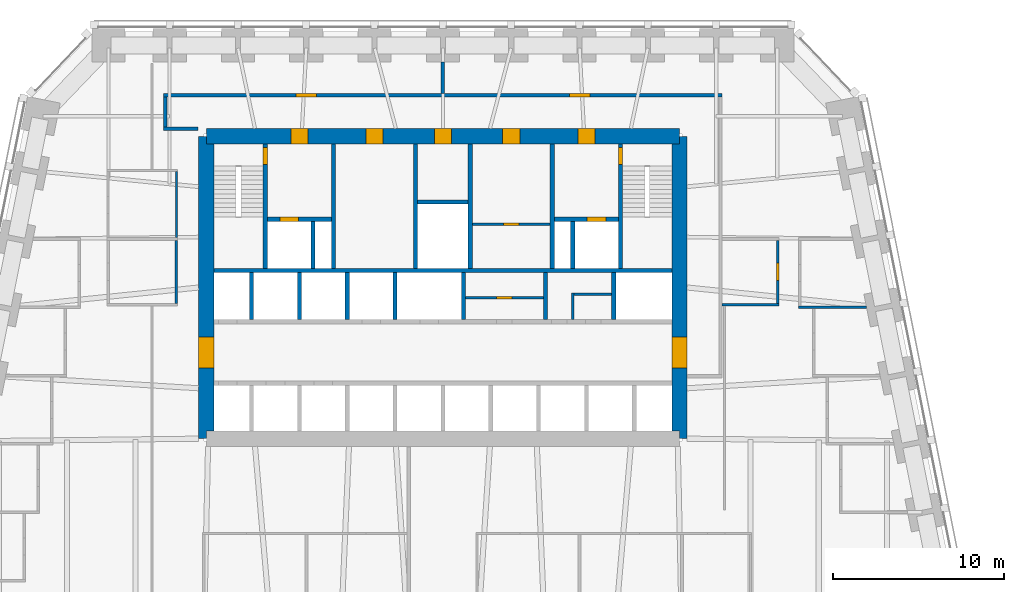
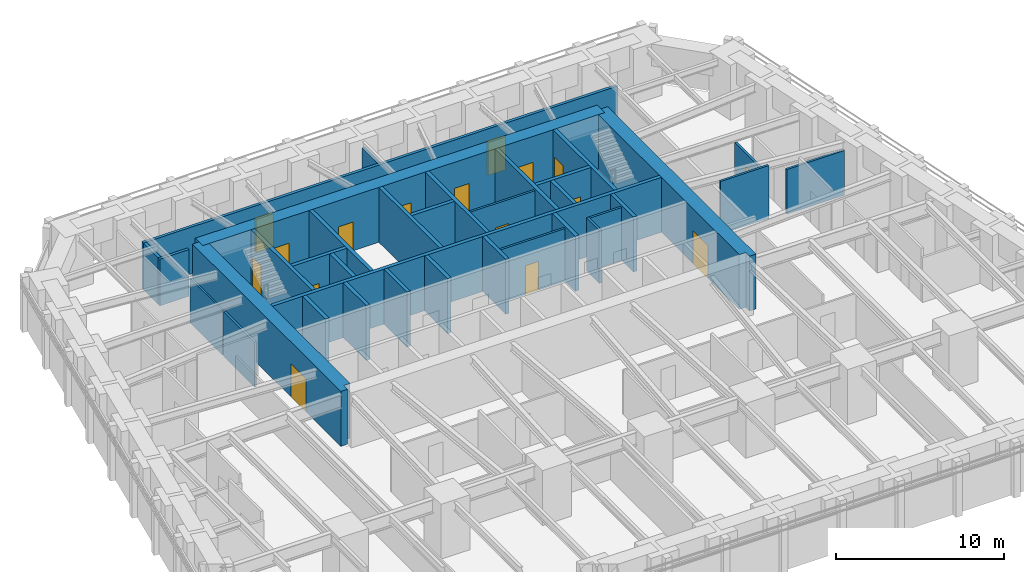
# One storey, part 7 of 10: 35 walls, 16 doors, 16 openings.
"""IFC4 building model written with IfcOpenShell, lengths in metres."""

import ifcopenshell
import ifcopenshell.guid

model = None  # the IFC model being written
_history = None  # IfcOwnerHistory: only IFC2X3 demands one
_inside = {}  # id of a spatial element -> (the spatial element, [elements in it])
_under = {}  # id of a project, library or spatial element -> (it, [spatial elements below it])
_declared = {}  # id of a project -> (the project, [libraries it declares])
_typed = {}  # id of a type object -> (the type object, [elements of that type])
_made_of = {}  # id of a material, layer set ... -> (it, [elements and type objects made of it])


def new_model(schema):
    """Start an empty IFC model of exactly this schema.

    Asked for "IFC4X3", IfcOpenShell would pick the latest addendum, in which some entities
    have other attributes; the version numbers below select the first issue.
    IFC2X3 requires an IfcOwnerHistory on every rooted entity: one is made here for all.
    """
    global model, _history
    if schema == "IFC4X3":
        model = ifcopenshell.file(schema_version=(4, 3, 0, 0))
    else:
        model = ifcopenshell.file(schema=schema)
    _inside.clear()
    _under.clear()
    _declared.clear()
    _typed.clear()
    _made_of.clear()
    _history = None
    if model.schema == "IFC2X3":
        org = make("IfcOrganization", Name="unknown")
        user = make(
            "IfcPersonAndOrganization",
            ThePerson=make("IfcPerson", FamilyName="unknown"),
            TheOrganization=org,
        )
        app = make(
            "IfcApplication",
            ApplicationDeveloper=org,
            Version="unknown",
            ApplicationFullName="unknown",
            ApplicationIdentifier="unknown",
        )
        _history = make(
            "IfcOwnerHistory",
            OwningUser=user,
            OwningApplication=app,
            ChangeAction="ADDED",
            CreationDate=0,
        )
    return model


def make(cls, **values):
    """One entity of the class cls with the attributes given. An attribute that is None is left unset."""
    return model.create_entity(
        cls, **{name: value for name, value in values.items() if value is not None}
    )


def rooted(cls, **values):
    """An entity with a GlobalId (a new one), such as an element, a storey or a relation."""
    return make(cls, GlobalId=ifcopenshell.guid.new(), OwnerHistory=_history, **values)


def si_unit(unit_type, name, prefix=None):
    """IfcSIUnit, for example si_unit("LENGTHUNIT", "METRE", prefix="MILLI")."""
    return make("IfcSIUnit", UnitType=unit_type, Prefix=prefix, Name=name)


def assignment(units):
    """IfcUnitAssignment: the units of a project."""
    return None if units is None else make("IfcUnitAssignment", Units=units)


def point(xyz):
    """IfcCartesianPoint."""
    return None if xyz is None else make("IfcCartesianPoint", Coordinates=xyz)


def direction(xyz):
    """IfcDirection."""
    return None if xyz is None else make("IfcDirection", DirectionRatios=xyz)


def frame(location, z_axis=None, x_axis=None):
    """IfcAxis2Placement3D, a coordinate frame: its origin and axes. An axis left out is left unset."""
    return make(
        "IfcAxis2Placement3D",
        Location=point(location),
        Axis=direction(z_axis),
        RefDirection=direction(x_axis),
    )


def frame_2d(location, x_axis=None):
    """IfcAxis2Placement2D, a coordinate frame in the plane: its origin and x axis."""
    return make(
        "IfcAxis2Placement2D", Location=point(location), RefDirection=direction(x_axis)
    )


def origin():
    """The frame at (0, 0, 0) with its axes left unset."""
    return frame((0.0, 0.0, 0.0))


def place(relative_to, where):
    """IfcLocalPlacement: puts the frame where relative to a parent placement (None: the world)."""
    return make(
        "IfcLocalPlacement", PlacementRelTo=relative_to, RelativePlacement=where
    )


def context(
    kind, dimensions, precision=None, world=None, true_north=None, identifier=None
):
    """IfcGeometricRepresentationContext, for example the 3D "Model" context."""
    return make(
        "IfcGeometricRepresentationContext",
        ContextIdentifier=identifier,
        ContextType=kind,
        CoordinateSpaceDimension=dimensions,
        Precision=precision,
        WorldCoordinateSystem=world,
        TrueNorth=true_north,
    )


def subcontext(parent, identifier, kind, view, scale=None):
    """IfcGeometricRepresentationSubContext, for example "Body" below "Model"."""
    return make(
        "IfcGeometricRepresentationSubContext",
        ContextIdentifier=identifier,
        ContextType=kind,
        ParentContext=parent,
        TargetScale=scale,
        TargetView=view,
    )


def project(units=None, contexts=None):
    """IfcProject with its units and contexts."""
    return rooted(
        "IfcProject",
        Name="project",
        RepresentationContexts=contexts,
        UnitsInContext=assignment(units),
    )


def spatial(cls, under=None, at=None, **own):
    """A site, building, storey or space (cls), placed at a placement, below another one or the project."""
    s = rooted(cls, ObjectPlacement=at, **own)
    if under is not None:
        _under.setdefault(under.id(), (under, []))[1].append(s)
    return s


def polyline(points):
    """IfcPolyline through the points."""
    return make("IfcPolyline", Points=[point(p) for p in points])


def profile(cls, at=None, kind="AREA", **sizes):
    """A parametric profile (cls). Its sizes go by their IFC names, for example OverallWidth=200.0."""
    return make(cls, ProfileType=kind, Position=at, **sizes)


def rectangle(**sizes):
    """IfcRectangleProfileDef."""
    return profile("IfcRectangleProfileDef", **sizes)


def outline(outer, holes=None, kind="AREA"):
    """IfcArbitraryClosedProfileDef: a profile drawn as a closed curve; with holes, ...WithVoids."""
    if holes is None:
        return make("IfcArbitraryClosedProfileDef", ProfileType=kind, OuterCurve=outer)
    return make(
        "IfcArbitraryProfileDefWithVoids",
        ProfileType=kind,
        OuterCurve=outer,
        InnerCurves=holes,
    )


def extrude(swept, where, along, depth):
    """IfcExtrudedAreaSolid: the profile swept, set in the frame where, extruded along a direction by depth."""
    return make(
        "IfcExtrudedAreaSolid",
        SweptArea=swept,
        Position=where,
        ExtrudedDirection=direction(along),
        Depth=depth,
    )


def shape(context_of_items, identifier, shape_type, items):
    """IfcShapeRepresentation: the items that make up one representation, for example the "Body"."""
    return make(
        "IfcShapeRepresentation",
        ContextOfItems=context_of_items,
        RepresentationIdentifier=identifier,
        RepresentationType=shape_type,
        Items=items,
    )


def material(Name=None, Category=None):
    """IfcMaterial."""
    return make("IfcMaterial", Name=Name, Category=Category)


def layer(
    of_material, thickness, ventilated=None, Name=None, Category=None, Priority=None
):
    """IfcMaterialLayer: one layer of a wall or slab, of a material (None: an air gap)."""
    return make(
        "IfcMaterialLayer",
        Material=of_material,
        LayerThickness=thickness,
        IsVentilated=ventilated,
        Name=Name,
        Category=Category,
        Priority=Priority,
    )


def layer_set(layers, Name=None):
    """IfcMaterialLayerSet."""
    return make("IfcMaterialLayerSet", MaterialLayers=layers, LayerSetName=Name)


def made_of(thing, what):
    """Note that an element or type object is made of a material, layer set ...; save() writes the relation."""
    if what is not None:
        _made_of.setdefault(what.id(), (what, []))[1].append(thing)
    return thing


def type_object(cls, material=None, **own):
    """A type object (cls), such as IfcWallType, which elements share."""
    return made_of(rooted(cls, **own), material)


def element(
    cls,
    number,
    at=None,
    inside=None,
    cuts=None,
    type_object=None,
    material=None,
    context=None,
    identifier="Body",
    shape_type=None,
    held_by="IfcProductDefinitionShape",
    body=None,
    shapes=None,
    **own,
):
    """One element of the class cls, such as IfcWall. Its Tag is "e" and its number.

    at: its placement. inside: the storey or other place that contains it. cuts: it is an
    opening in that element (IfcRelVoidsElement). A single representation is given by context,
    identifier, shape_type and body (its items); several are given by shapes. held_by: the class
    of the entity that holds the representations. save() writes the other relations.
    """
    e = rooted(cls, Tag="e%d" % number, ObjectPlacement=at, **own)
    if body is not None:
        shapes = [shape(context, identifier, shape_type, body)]
    if shapes is not None:
        e.Representation = make(held_by, Representations=shapes)
    if inside is not None:
        _inside.setdefault(inside.id(), (inside, []))[1].append(e)
    if cuts is not None:
        rooted(
            "IfcRelVoidsElement", RelatingBuildingElement=cuts, RelatedOpeningElement=e
        )
    if type_object is not None:
        _typed.setdefault(type_object.id(), (type_object, []))[1].append(e)
    return made_of(e, material)


def fill(opening, filler):
    """IfcRelFillsElement: the door or window that sits in an opening."""
    return rooted(
        "IfcRelFillsElement",
        RelatingOpeningElement=opening,
        RelatedBuildingElement=filler,
    )


def aggregate(whole, parts):
    """IfcRelAggregates: a whole, such as a stair, and the parts it consists of."""
    return rooted("IfcRelAggregates", RelatingObject=whole, RelatedObjects=parts)


def save(model, path):
    """Write the relations noted so far, then the file.

    IfcRelAggregates (storeys below a building ...), IfcRelContainedInSpatialStructure (elements
    in a storey), IfcRelDefinesByType, IfcRelAssociatesMaterial and IfcRelDeclares: one each for
    every whole, place, type object, material and project.
    """
    for whole, parts in _under.values():
        aggregate(whole, parts)
    for where, things in _inside.values():
        rooted(
            "IfcRelContainedInSpatialStructure",
            RelatedElements=things,
            RelatingStructure=where,
        )
    for kind, things in _typed.values():
        rooted("IfcRelDefinesByType", RelatedObjects=things, RelatingType=kind)
    for what, things in _made_of.values():
        rooted("IfcRelAssociatesMaterial", RelatedObjects=things, RelatingMaterial=what)
    for by, libraries in _declared.values():
        rooted("IfcRelDeclares", RelatingContext=by, RelatedDefinitions=libraries)
    model.write(path)


model = new_model("IFC4")

# Units and contexts
model_context = context("Model", 3, precision=1e-05, world=origin(), true_north=direction((0.0, 1.0)))
body_context = subcontext(model_context, "Body", "Model", "MODEL_VIEW")
ifc_project = project(units=[si_unit("LENGTHUNIT", "METRE"), si_unit("AREAUNIT", "SQUARE_METRE"), si_unit("VOLUMEUNIT", "CUBIC_METRE"), si_unit("PLANEANGLEUNIT", "RADIAN"), si_unit("MASSUNIT", "GRAM", prefix="KILO")], contexts=[model_context])

# Site, building, storey
site_placement = place(None, origin())
site = spatial("IfcSite", under=ifc_project, at=site_placement, CompositionType="ELEMENT")
building_placement = place(site_placement, origin())
building = spatial("IfcBuilding", under=site, at=building_placement, Name="Isbrekke Arena Tower", CompositionType="ELEMENT")
storey_placement = place(building_placement, frame((0.0, 0.0, 68.0)))
storey = spatial("IfcBuildingStorey", under=building, at=storey_placement, Name="L14", CompositionType="ELEMENT", Elevation=68.0)

# Wall, opening, door
ifc_material_1 = material(Name="Concrete B65 (C65/80)", Category="concrete")
ifc_layer_1 = layer(ifc_material_1, 0.89990234375)
ifc_layer_set_1 = layer_set([ifc_layer_1], Name="CW2 CORE WALL 900")
wall_type_1 = type_object("IfcWallType", Name="CW2 CORE WALL 900", PredefinedType="SHEAR", material=ifc_layer_set_1)
wall_1_placement = place(storey_placement, frame((13.85009765625, 6.14990234375, 0.0), z_axis=(0.0, 0.0, 1.0), x_axis=(0.0, 1.0, 0.0)))
wall_1 = element("IfcWall", 1, at=wall_1_placement, inside=storey, type_object=wall_type_1, Name="Core wall E L14", PredefinedType="SHEAR", context=body_context, shape_type="SweptSolid", body=[
    extrude(outline(polyline([(0.0, -0.449951171875), (17.7001953125, -0.449951171875), (17.7001953125, 0.0), (17.250244140625, 0.0), (17.250244140625, 0.449951171875), (0.449951171875, 0.449951171875), (0.449951171875, 0.0), (0.0, 0.0), (0.0, -0.449951171875)])), origin(), (0.0, 0.0, 1.0), 4.0),
])
opening_1_placement = place(wall_1_placement, frame((4.14990234375, 0.0, 0.0)))
opening_1 = element("IfcOpeningElement", 2, at=opening_1_placement, cuts=wall_1, Name="Opening D1", PredefinedType="OPENING", context=body_context, shape_type="SweptSolid", body=[
    extrude(rectangle(XDim=1.800048828125, YDim=2.39990234375, at=frame_2d((0.89990234375, 1.199951171875))), frame((0.0, 0.46484375, 0.0), z_axis=(0.0, -1.0, 0.0), x_axis=(1.0, 0.0, 0.0)), (0.0, 0.0, 1.0), 0.9296875),
])
ifc_material_2 = material(Name="Steel-framed glazed fire door", Category="steel")
door_type_1 = type_object("IfcDoorType", Name="D1 CORE LOBBY DOOR 1800 x 2400", OperationType="DOUBLE_DOOR_SINGLE_SWING", PredefinedType="DOOR", material=ifc_material_2)
door_1_placement = place(opening_1_placement, origin())
door_1 = element("IfcDoor", 3, at=door_1_placement, inside=storey, type_object=door_type_1, Name="D1 lift lobby door east L14", OperationType="DOUBLE_DOOR_SINGLE_SWING", OverallHeight=2.39990234375, OverallWidth=1.800048828125, PredefinedType="DOOR", context=body_context, shape_type="SweptSolid", body=[
    extrude(rectangle(XDim=1.800048828125, YDim=2.39990234375, at=frame_2d((0.89990234375, 1.199951171875))), frame((0.0, 0.44970703125, 0.0), z_axis=(0.0, -1.0, 0.0), x_axis=(1.0, 0.0, 0.0)), (0.0, 0.0, 1.0), 0.8994140625),
])
fill(opening_1, door_1)

# Wall, openings, doors
wall_2_placement = place(storey_placement, frame((13.85009765625, 23.85009765625, 0.0), z_axis=(0.0, 0.0, 1.0), x_axis=(-1.0, 0.0, 0.0)))
wall_2 = element("IfcWall", 4, at=wall_2_placement, inside=storey, type_object=wall_type_1, Name="Core wall N L14", PredefinedType="SHEAR", context=body_context, shape_type="SweptSolid", body=[
    extrude(rectangle(XDim=27.7001953125, YDim=0.89990234375, at=frame_2d((13.85009765625, 0.0))), origin(), (0.0, 0.0, 1.0), 4.0),
])
opening_2_placement = place(wall_2_placement, frame((21.75, 0.0, 0.0)))
opening_2 = element("IfcOpeningElement", 5, at=opening_2_placement, cuts=wall_2, Name="Opening D3", PredefinedType="OPENING", context=body_context, shape_type="SweptSolid", body=[
    extrude(rectangle(XDim=1.0, YDim=2.10009765625, at=frame_2d((0.5, 1.050048828125))), frame((0.0, 0.46484375, 0.0), z_axis=(0.0, -1.0, 0.0), x_axis=(1.0, 0.0, 0.0)), (0.0, 0.0, 1.0), 0.9296875),
])
opening_3_placement = place(wall_2_placement, frame((4.949951171875, 0.0, 0.0)))
opening_3 = element("IfcOpeningElement", 6, at=opening_3_placement, cuts=wall_2, Name="Opening D3", PredefinedType="OPENING", context=body_context, shape_type="SweptSolid", body=[
    extrude(rectangle(XDim=1.0, YDim=2.10009765625, at=frame_2d((0.5, 1.050048828125))), frame((0.0, 0.46484375, 0.0), z_axis=(0.0, -1.0, 0.0), x_axis=(1.0, 0.0, 0.0)), (0.0, 0.0, 1.0), 0.9296875),
])
opening_4_placement = place(wall_2_placement, frame((17.35009765625, 0.0, 0.0)))
opening_4 = element("IfcOpeningElement", 7, at=opening_4_placement, cuts=wall_2, Name="Opening D4", PredefinedType="OPENING", context=body_context, shape_type="SweptSolid", body=[
    extrude(rectangle(XDim=1.0, YDim=2.10009765625, at=frame_2d((0.5, 1.050048828125))), frame((0.0, 0.46484375, 0.0), z_axis=(0.0, -1.0, 0.0), x_axis=(1.0, 0.0, 0.0)), (0.0, 0.0, 1.0), 0.9296875),
])
opening_5_placement = place(wall_2_placement, frame((13.35009765625, 0.0, 0.0)))
opening_5 = element("IfcOpeningElement", 8, at=opening_5_placement, cuts=wall_2, Name="Opening D4", PredefinedType="OPENING", context=body_context, shape_type="SweptSolid", body=[
    extrude(rectangle(XDim=1.0, YDim=2.10009765625, at=frame_2d((0.5, 1.050048828125))), frame((0.0, 0.46484375, 0.0), z_axis=(0.0, -1.0, 0.0), x_axis=(1.0, 0.0, 0.0)), (0.0, 0.0, 1.0), 0.9296875),
])
opening_6_placement = place(wall_2_placement, frame((9.35009765625, 0.0, 0.0)))
opening_6 = element("IfcOpeningElement", 9, at=opening_6_placement, cuts=wall_2, Name="Opening D4", PredefinedType="OPENING", context=body_context, shape_type="SweptSolid", body=[
    extrude(rectangle(XDim=1.0, YDim=2.10009765625, at=frame_2d((0.5, 1.050048828125))), frame((0.0, 0.46484375, 0.0), z_axis=(0.0, -1.0, 0.0), x_axis=(1.0, 0.0, 0.0)), (0.0, 0.0, 1.0), 0.9296875),
])
ifc_material_3 = material(Name="Steel fire door", Category="steel")
door_type_2 = type_object("IfcDoorType", Name="D3 FIRE LOBBY DOOR 1000 x 2100", OperationType="SINGLE_SWING_RIGHT", PredefinedType="DOOR", material=ifc_material_3)
door_2_placement = place(opening_2_placement, origin())
door_2 = element("IfcDoor", 10, at=door_2_placement, inside=storey, type_object=door_type_2, Name="D3 fire-fighting lobby door L14", OperationType="SINGLE_SWING_RIGHT", OverallHeight=2.10009765625, OverallWidth=1.0, PredefinedType="DOOR", context=body_context, shape_type="SweptSolid", body=[
    extrude(rectangle(XDim=1.0, YDim=2.10009765625, at=frame_2d((0.5, 1.050048828125))), frame((0.0, 0.44970703125, 0.0), z_axis=(0.0, -1.0, 0.0), x_axis=(1.0, 0.0, 0.0)), (0.0, 0.0, 1.0), 0.8994140625),
])
fill(opening_2, door_2)
door_3_placement = place(opening_3_placement, origin())
door_3 = element("IfcDoor", 11, at=door_3_placement, inside=storey, type_object=door_type_2, Name="D3 fire-fighting lobby door L14", OperationType="SINGLE_SWING_RIGHT", OverallHeight=2.10009765625, OverallWidth=1.0, PredefinedType="DOOR", context=body_context, shape_type="SweptSolid", body=[
    extrude(rectangle(XDim=1.0, YDim=2.10009765625, at=frame_2d((0.5, 1.050048828125))), frame((0.0, 0.44970703125, 0.0), z_axis=(0.0, -1.0, 0.0), x_axis=(1.0, 0.0, 0.0)), (0.0, 0.0, 1.0), 0.8994140625),
])
fill(opening_3, door_3)
ifc_material_4 = material(Name="Timber door", Category="wood")
door_type_3 = type_object("IfcDoorType", Name="D4 WC DOOR 1000 x 2100", OperationType="SINGLE_SWING_LEFT", PredefinedType="DOOR", material=ifc_material_4)
door_4_placement = place(opening_4_placement, origin())
door_4 = element("IfcDoor", 12, at=door_4_placement, inside=storey, type_object=door_type_3, Name="D4 wc female door L14", OperationType="SINGLE_SWING_LEFT", OverallHeight=2.10009765625, OverallWidth=1.0, PredefinedType="DOOR", context=body_context, shape_type="SweptSolid", body=[
    extrude(rectangle(XDim=1.0, YDim=2.10009765625, at=frame_2d((0.5, 1.050048828125))), frame((0.0, 0.44970703125, 0.0), z_axis=(0.0, -1.0, 0.0), x_axis=(1.0, 0.0, 0.0)), (0.0, 0.0, 1.0), 0.8994140625),
])
fill(opening_4, door_4)
door_5_placement = place(opening_5_placement, origin())
door_5 = element("IfcDoor", 13, at=door_5_placement, inside=storey, type_object=door_type_3, Name="D4 accessible wc door L14", OperationType="SINGLE_SWING_LEFT", OverallHeight=2.10009765625, OverallWidth=1.0, PredefinedType="DOOR", context=body_context, shape_type="SweptSolid", body=[
    extrude(rectangle(XDim=1.0, YDim=2.10009765625, at=frame_2d((0.5, 1.050048828125))), frame((0.0, 0.44970703125, 0.0), z_axis=(0.0, -1.0, 0.0), x_axis=(1.0, 0.0, 0.0)), (0.0, 0.0, 1.0), 0.8994140625),
])
fill(opening_5, door_5)
door_6_placement = place(opening_6_placement, origin())
door_6 = element("IfcDoor", 14, at=door_6_placement, inside=storey, type_object=door_type_3, Name="D4 wc male door L14", OperationType="SINGLE_SWING_LEFT", OverallHeight=2.10009765625, OverallWidth=1.0, PredefinedType="DOOR", context=body_context, shape_type="SweptSolid", body=[
    extrude(rectangle(XDim=1.0, YDim=2.10009765625, at=frame_2d((0.5, 1.050048828125))), frame((0.0, 0.44970703125, 0.0), z_axis=(0.0, -1.0, 0.0), x_axis=(1.0, 0.0, 0.0)), (0.0, 0.0, 1.0), 0.8994140625),
])
fill(opening_6, door_6)

# Wall, opening, door
wall_3_placement = place(storey_placement, frame((-13.85009765625, 23.85009765625, 0.0), z_axis=(0.0, 0.0, 1.0), x_axis=(0.0, -1.0, 0.0)))
wall_3 = element("IfcWall", 15, at=wall_3_placement, inside=storey, type_object=wall_type_1, Name="Core wall W L14", PredefinedType="SHEAR", context=body_context, shape_type="SweptSolid", body=[
    extrude(outline(polyline([(0.0, -0.449951171875), (17.7001953125, -0.449951171875), (17.7001953125, 0.0), (17.250244140625, 0.0), (17.250244140625, 0.449951171875), (0.449951171875, 0.449951171875), (0.449951171875, 0.0), (0.0, 0.0), (0.0, -0.449951171875)])), origin(), (0.0, 0.0, 1.0), 4.0),
])
opening_7_placement = place(wall_3_placement, frame((11.75, 0.0, 0.0)))
opening_7 = element("IfcOpeningElement", 16, at=opening_7_placement, cuts=wall_3, Name="Opening D1", PredefinedType="OPENING", context=body_context, shape_type="SweptSolid", body=[
    extrude(rectangle(XDim=1.800048828125, YDim=2.39990234375, at=frame_2d((0.89990234375, 1.199951171875))), frame((0.0, 0.46484375, 0.0), z_axis=(0.0, -1.0, 0.0), x_axis=(1.0, 0.0, 0.0)), (0.0, 0.0, 1.0), 0.9296875),
])
door_7_placement = place(opening_7_placement, origin())
door_7 = element("IfcDoor", 17, at=door_7_placement, inside=storey, type_object=door_type_1, Name="D1 lift lobby door west L14", OperationType="DOUBLE_DOOR_SINGLE_SWING", OverallHeight=2.39990234375, OverallWidth=1.800048828125, PredefinedType="DOOR", context=body_context, shape_type="SweptSolid", body=[
    extrude(rectangle(XDim=1.800048828125, YDim=2.39990234375, at=frame_2d((0.89990234375, 1.199951171875))), frame((0.0, 0.44970703125, 0.0), z_axis=(0.0, -1.0, 0.0), x_axis=(1.0, 0.0, 0.0)), (0.0, 0.0, 1.0), 0.8994140625),
])
fill(opening_7, door_7)

# Walls
ifc_material_5 = material(Name="Concrete B45 (C45/55)", Category="concrete")
ifc_layer_2 = layer(ifc_material_5, 0.25)
ifc_layer_set_2 = layer_set([ifc_layer_2], Name="CW6 SHAFT WALL 250")
wall_type_2 = type_object("IfcWallType", Name="CW6 SHAFT WALL 250", PredefinedType="SHEAR", material=ifc_layer_set_2)
wall_4_placement = place(storey_placement, frame((-13.39990234375, 16.0, 0.0), z_axis=(0.0, 0.0, 1.0), x_axis=(1.0, 0.0, 0.0)))
element("IfcWall", 18, at=wall_4_placement, inside=storey, type_object=wall_type_2, Name="Core wall NB L14", PredefinedType="SHEAR", context=body_context, shape_type="SweptSolid", body=[
    extrude(rectangle(XDim=26.7998046875, YDim=0.25, at=frame_2d((13.39990234375, 0.0))), origin(), (0.0, 0.0, 1.0), 4.0),
])
for number, where, z_axis, x_axis, name in (
    (19, (-11.199951171875, 13.125, 0.0), (0.0, 0.0, 1.0), (0.0, 1.0, 0.0), "Core wall SN01 L14"),
    (20, (-8.39990234375, 13.125, 0.0), (0.0, 0.0, 1.0), (0.0, 1.0, 0.0), "Core wall SN02 L14"),
    (21, (-5.60009765625, 13.125, 0.0), (0.0, 0.0, 1.0), (0.0, 1.0, 0.0), "Core wall SN03 L14"),
    (22, (-2.800048828125, 13.125, 0.0), (0.0, 0.0, 1.0), (0.0, 1.0, 0.0), "Core wall SN04 L14"),
    (23, (1.199951171875, 13.125, 0.0), (0.0, 0.0, 1.0), (0.0, 1.0, 0.0), "Core wall SN05 L14"),
    (24, (6.0, 13.125, 0.0), (0.0, 0.0, 1.0), (0.0, 1.0, 0.0), "Core wall SN06 L14"),
    (25, (10.0, 13.125, 0.0), (0.0, 0.0, 1.0), (0.0, 1.0, 0.0), "Core wall SN07 L14"),
):
    element("IfcWall", number, at=place(storey_placement, frame(where, z_axis=z_axis, x_axis=x_axis)), inside=storey, type_object=wall_type_2, Name=name, PredefinedType="SHEAR", context=body_context, shape_type="SweptSolid", body=[
        extrude(rectangle(XDim=2.75, YDim=0.25, at=frame_2d((1.375, 0.0))), origin(), (0.0, 0.0, 1.0), 4.0),
    ])

# Wall, opening, door
wall_5_placement = place(storey_placement, frame((-10.39990234375, 16.125, 0.0), z_axis=(0.0, 0.0, 1.0), x_axis=(0.0, 1.0, 0.0)))
wall_5 = element("IfcWall", 26, at=wall_5_placement, inside=storey, type_object=wall_type_2, Name="Core wall NV01 L14", PredefinedType="SHEAR", context=body_context, shape_type="SweptSolid", body=[
    extrude(rectangle(XDim=7.27490234375, YDim=0.25, at=frame_2d((3.637451171875, 0.0))), origin(), (0.0, 0.0, 1.0), 4.0),
])
opening_8_placement = place(wall_5_placement, frame((6.074951171875, 0.0, 0.0)))
opening_8 = element("IfcOpeningElement", 27, at=opening_8_placement, cuts=wall_5, Name="Opening D2", PredefinedType="OPENING", context=body_context, shape_type="SweptSolid", body=[
    extrude(rectangle(XDim=1.0, YDim=2.10009765625, at=frame_2d((0.5, 1.050048828125))), frame((0.0, 0.139892578125, 0.0), z_axis=(0.0, -1.0, 0.0), x_axis=(1.0, 0.0, 0.0)), (0.0, 0.0, 1.0), 0.27978515625),
])
ifc_material_6 = material(Name="Steel fire door", Category="steel")
door_type_4 = type_object("IfcDoorType", Name="D2 STAIR DOOR 1000 x 2100", OperationType="SINGLE_SWING_LEFT", PredefinedType="DOOR", material=ifc_material_6)
door_8_placement = place(opening_8_placement, origin())
door_8 = element("IfcDoor", 28, at=door_8_placement, inside=storey, type_object=door_type_4, Name="D2 stair door ST1 L14", OperationType="SINGLE_SWING_LEFT", OverallHeight=2.10009765625, OverallWidth=1.0, PredefinedType="DOOR", context=body_context, shape_type="SweptSolid", body=[
    extrude(rectangle(XDim=1.0, YDim=2.10009765625, at=frame_2d((0.5, 1.050048828125))), frame((0.0, 0.124755859375, 0.0), z_axis=(0.0, -1.0, 0.0), x_axis=(1.0, 0.0, 0.0)), (0.0, 0.0, 1.0), 0.24951171875),
])
fill(opening_8, door_8)

# Walls
for number, where, z_axis, x_axis, name in (
    (29, (-6.39990234375, 16.125, 0.0), (0.0, 0.0, 1.0), (0.0, 1.0, 0.0), "Core wall NV02 L14"),
    (30, (-1.60009765625, 16.125, 0.0), (0.0, 0.0, 1.0), (0.0, 1.0, 0.0), "Core wall NV03 L14"),
    (31, (1.60009765625, 16.125, 0.0), (0.0, 0.0, 1.0), (0.0, 1.0, 0.0), "Core wall NV04 L14"),
    (32, (6.39990234375, 16.125, 0.0), (0.0, 0.0, 1.0), (0.0, 1.0, 0.0), "Core wall NV05 L14"),
):
    element("IfcWall", number, at=place(storey_placement, frame(where, z_axis=z_axis, x_axis=x_axis)), inside=storey, type_object=wall_type_2, Name=name, PredefinedType="SHEAR", context=body_context, shape_type="SweptSolid", body=[
        extrude(rectangle(XDim=7.27490234375, YDim=0.25, at=frame_2d((3.637451171875, 0.0))), origin(), (0.0, 0.0, 1.0), 4.0),
    ])

# Wall, opening, door
wall_6_placement = place(storey_placement, frame((10.39990234375, 16.125, 0.0), z_axis=(0.0, 0.0, 1.0), x_axis=(0.0, 1.0, 0.0)))
wall_6 = element("IfcWall", 33, at=wall_6_placement, inside=storey, type_object=wall_type_2, Name="Core wall NV06 L14", PredefinedType="SHEAR", context=body_context, shape_type="SweptSolid", body=[
    extrude(rectangle(XDim=7.27490234375, YDim=0.25, at=frame_2d((3.637451171875, 0.0))), origin(), (0.0, 0.0, 1.0), 4.0),
])
opening_9_placement = place(wall_6_placement, frame((6.074951171875, 0.0, 0.0)))
opening_9 = element("IfcOpeningElement", 34, at=opening_9_placement, cuts=wall_6, Name="Opening D2", PredefinedType="OPENING", context=body_context, shape_type="SweptSolid", body=[
    extrude(rectangle(XDim=1.0, YDim=2.10009765625, at=frame_2d((0.5, 1.050048828125))), frame((0.0, 0.139892578125, 0.0), z_axis=(0.0, -1.0, 0.0), x_axis=(1.0, 0.0, 0.0)), (0.0, 0.0, 1.0), 0.27978515625),
])
door_9_placement = place(opening_9_placement, origin())
door_9 = element("IfcDoor", 35, at=door_9_placement, inside=storey, type_object=door_type_4, Name="D2 stair door ST2 L14", OperationType="SINGLE_SWING_LEFT", OverallHeight=2.10009765625, OverallWidth=1.0, PredefinedType="DOOR", context=body_context, shape_type="SweptSolid", body=[
    extrude(rectangle(XDim=1.0, YDim=2.10009765625, at=frame_2d((0.5, 1.050048828125))), frame((0.0, 0.124755859375, 0.0), z_axis=(0.0, -1.0, 0.0), x_axis=(1.0, 0.0, 0.0)), (0.0, 0.0, 1.0), 0.24951171875),
])
fill(opening_9, door_9)

wall_7_placement = place(storey_placement, frame((-10.27490234375, 19.0, 0.0), z_axis=(0.0, 0.0, 1.0), x_axis=(1.0, 0.0, 0.0)))
wall_7 = element("IfcWall", 36, at=wall_7_placement, inside=storey, type_object=wall_type_2, Name="Core wall NFW L14", PredefinedType="SHEAR", context=body_context, shape_type="SweptSolid", body=[
    extrude(rectangle(XDim=3.75, YDim=0.25, at=frame_2d((1.875, 0.0))), origin(), (0.0, 0.0, 1.0), 4.0),
])
opening_10_placement = place(wall_7_placement, frame((0.72509765625, 0.0, 0.0)))
opening_10 = element("IfcOpeningElement", 37, at=opening_10_placement, cuts=wall_7, Name="Opening LD2", PredefinedType="OPENING", context=body_context, shape_type="SweptSolid", body=[
    extrude(rectangle(XDim=1.10009765625, YDim=2.10009765625, at=frame_2d((0.550048828125, 1.050048828125))), frame((0.0, 0.139892578125, 0.0), z_axis=(0.0, -1.0, 0.0), x_axis=(1.0, 0.0, 0.0)), (0.0, 0.0, 1.0), 0.27978515625),
])
ifc_material_7 = material(Name="Stainless steel lift landing door", Category="steel")
door_type_5 = type_object("IfcDoorType", Name="LD2 FIRE-FIGHTING LIFT LANDING DOOR 1100 x 2100", OperationType="SLIDING_TO_RIGHT", PredefinedType="DOOR", material=ifc_material_7)
door_10_placement = place(opening_10_placement, origin())
door_10 = element("IfcDoor", 38, at=door_10_placement, inside=storey, type_object=door_type_5, Name="LD2 lift landing door LF L14", OperationType="SLIDING_TO_RIGHT", OverallHeight=2.10009765625, OverallWidth=1.10009765625, PredefinedType="DOOR", context=body_context, shape_type="SweptSolid", body=[
    extrude(rectangle(XDim=1.10009765625, YDim=2.10009765625, at=frame_2d((0.550048828125, 1.050048828125))), frame((0.0, 0.124755859375, 0.0), z_axis=(0.0, -1.0, 0.0), x_axis=(1.0, 0.0, 0.0)), (0.0, 0.0, 1.0), 0.24951171875),
])
fill(opening_10, door_10)

wall_8_placement = place(storey_placement, frame((6.52490234375, 19.0, 0.0), z_axis=(0.0, 0.0, 1.0), x_axis=(1.0, 0.0, 0.0)))
wall_8 = element("IfcWall", 39, at=wall_8_placement, inside=storey, type_object=wall_type_2, Name="Core wall NFE L14", PredefinedType="SHEAR", context=body_context, shape_type="SweptSolid", body=[
    extrude(rectangle(XDim=3.75, YDim=0.25, at=frame_2d((1.875, 0.0))), origin(), (0.0, 0.0, 1.0), 4.0),
])
opening_11_placement = place(wall_8_placement, frame((1.925048828125, 0.0, 0.0)))
opening_11 = element("IfcOpeningElement", 40, at=opening_11_placement, cuts=wall_8, Name="Opening LD2", PredefinedType="OPENING", context=body_context, shape_type="SweptSolid", body=[
    extrude(rectangle(XDim=1.10009765625, YDim=2.10009765625, at=frame_2d((0.550048828125, 1.050048828125))), frame((0.0, 0.139892578125, 0.0), z_axis=(0.0, -1.0, 0.0), x_axis=(1.0, 0.0, 0.0)), (0.0, 0.0, 1.0), 0.27978515625),
])
door_11_placement = place(opening_11_placement, origin())
door_11 = element("IfcDoor", 41, at=door_11_placement, inside=storey, type_object=door_type_5, Name="LD2 lift landing door LF L14", OperationType="SLIDING_TO_RIGHT", OverallHeight=2.10009765625, OverallWidth=1.10009765625, PredefinedType="DOOR", context=body_context, shape_type="SweptSolid", body=[
    extrude(rectangle(XDim=1.10009765625, YDim=2.10009765625, at=frame_2d((0.550048828125, 1.050048828125))), frame((0.0, 0.124755859375, 0.0), z_axis=(0.0, -1.0, 0.0), x_axis=(1.0, 0.0, 0.0)), (0.0, 0.0, 1.0), 0.24951171875),
])
fill(opening_11, door_11)

# Walls
for number, where, z_axis, x_axis, name in (
    (42, (-7.60009765625, 16.125, 0.0), (0.0, 0.0, 1.0), (0.0, 1.0, 0.0), "Core wall NFS1 L14"),
    (43, (7.60009765625, 16.125, 0.0), (0.0, 0.0, 1.0), (0.0, 1.0, 0.0), "Core wall NFS2 L14"),
):
    element("IfcWall", number, at=place(storey_placement, frame(where, z_axis=z_axis, x_axis=x_axis)), inside=storey, type_object=wall_type_2, Name=name, PredefinedType="SHEAR", context=body_context, shape_type="SweptSolid", body=[
        extrude(rectangle(XDim=2.75, YDim=0.25, at=frame_2d((1.375, 0.0))), origin(), (0.0, 0.0, 1.0), 4.0),
    ])
wall_9_placement = place(storey_placement, frame((-1.47509765625, 20.0, 0.0), z_axis=(0.0, 0.0, 1.0), x_axis=(1.0, 0.0, 0.0)))
element("IfcWall", 44, at=wall_9_placement, inside=storey, type_object=wall_type_2, Name="Core wall NWC L14", PredefinedType="SHEAR", context=body_context, shape_type="SweptSolid", body=[
    extrude(rectangle(XDim=2.9501953125, YDim=0.25, at=frame_2d((1.47509765625, 0.0))), origin(), (0.0, 0.0, 1.0), 4.0),
])
ifc_material_8 = material(Name="Gypsum board partition on steel studs", Category="steel")
ifc_layer_3 = layer(ifc_material_8, 0.14990234375)
ifc_layer_set_3 = layer_set([ifc_layer_3], Name="IW1 PARTITION 150")
wall_type_3 = type_object("IfcWallType", Name="IW1 PARTITION 150", PredefinedType="PARTITIONING", material=ifc_layer_set_3)
wall_10_placement = place(storey_placement, frame((20.824951171875, 13.840087890625, 0.0), z_axis=(0.0, 0.0, 1.0), x_axis=(1.0, 0.0, 0.0)))
element("IfcWall", 45, at=wall_10_placement, inside=storey, type_object=wall_type_3, Name="IW1 partition 150 L14", PredefinedType="PARTITIONING", context=body_context, shape_type="SweptSolid", body=[
    extrude(rectangle(XDim=3.971435546875, YDim=0.14990234375, at=frame_2d((1.98583984375, 0.0))), origin(), (0.0, 0.0, 1.0), 3.25),
])
wall_11_placement = place(storey_placement, frame((16.35009765625, 14.0, 0.0), z_axis=(0.0, 0.0, 1.0), x_axis=(1.0, 0.0, 0.0)))
element("IfcWall", 46, at=wall_11_placement, inside=storey, type_object=wall_type_3, Name="IW1 partition 150 L14", PredefinedType="PARTITIONING", context=body_context, shape_type="SweptSolid", body=[
    extrude(rectangle(XDim=3.324951171875, YDim=0.14990234375, at=frame_2d((1.66259765625, 0.0))), origin(), (0.0, 0.0, 1.0), 3.85009765625),
])
wall_12_placement = place(storey_placement, frame((-15.60009765625, 14.074951171875, 0.0), z_axis=(0.0, 0.0, 1.0), x_axis=(0.0, 1.0, 0.0)))
element("IfcWall", 47, at=wall_12_placement, inside=storey, type_object=wall_type_3, Name="IW1 partition 150 L14", PredefinedType="PARTITIONING", context=body_context, shape_type="SweptSolid", body=[
    extrude(rectangle(XDim=3.68994140625, YDim=0.14990234375, at=frame_2d((1.844970703125, 0.0))), origin(), (0.0, 0.0, 1.0), 3.25),
])

# Wall, opening, door
wall_13_placement = place(storey_placement, frame((19.60009765625, 14.074951171875, 0.0), z_axis=(0.0, 0.0, 1.0), x_axis=(0.0, 1.0, 0.0)))
wall_13 = element("IfcWall", 48, at=wall_13_placement, inside=storey, type_object=wall_type_3, Name="IW1 partition 150 L14", PredefinedType="PARTITIONING", context=body_context, shape_type="SweptSolid", body=[
    extrude(rectangle(XDim=3.68994140625, YDim=0.14990234375, at=frame_2d((1.844970703125, 0.0))), origin(), (0.0, 0.0, 1.0), 3.25),
])
opening_12_placement = place(wall_13_placement, frame((1.344970703125, 0.0, 0.0)))
opening_12 = element("IfcOpeningElement", 49, at=opening_12_placement, cuts=wall_13, Name="Opening D10", PredefinedType="OPENING", context=body_context, shape_type="SweptSolid", body=[
    extrude(rectangle(XDim=1.0, YDim=2.300048828125, at=frame_2d((0.5, 1.14990234375))), frame((0.0, 0.08984375, 0.0), z_axis=(0.0, -1.0, 0.0), x_axis=(1.0, 0.0, 0.0)), (0.0, 0.0, 1.0), 0.1796875),
])
ifc_material_9 = material(Name="Timber door", Category="wood")
door_type_6 = type_object("IfcDoorType", Name="D10 OFFICE DOOR 1000 x 2300", OperationType="SINGLE_SWING_LEFT", PredefinedType="DOOR", material=ifc_material_9)
door_12_placement = place(opening_12_placement, origin())
door_12 = element("IfcDoor", 50, at=door_12_placement, inside=storey, type_object=door_type_6, Name="D10 pantry door L14", OperationType="SINGLE_SWING_LEFT", OverallHeight=2.300048828125, OverallWidth=1.0, PredefinedType="DOOR", context=body_context, shape_type="SweptSolid", body=[
    extrude(rectangle(XDim=1.0, YDim=2.300048828125, at=frame_2d((0.5, 1.14990234375))), frame((0.0, 0.07470703125, 0.0), z_axis=(0.0, -1.0, 0.0), x_axis=(1.0, 0.0, 0.0)), (0.0, 0.0, 1.0), 0.1494140625),
])
fill(opening_12, door_12)

# Walls
ifc_material_10 = material(Name="Frameless glazed partition, laminated acoustic glass", Category="glass")
ifc_layer_4 = layer(ifc_material_10, 0.1201171875)
ifc_layer_set_4 = layer_set([ifc_layer_4], Name="IW2 GLAZED PARTITION 120")
wall_type_4 = type_object("IfcWallType", Name="IW2 GLAZED PARTITION 120", PredefinedType="PARTITIONING", material=ifc_layer_set_4)
wall_14_placement = place(storey_placement, frame((-15.60009765625, 17.9150390625, 0.0), z_axis=(0.0, 0.0, 1.0), x_axis=(0.0, 1.0, 0.0)))
element("IfcWall", 51, at=wall_14_placement, inside=storey, type_object=wall_type_4, Name="IW2 glazed partition 120 L14", PredefinedType="PARTITIONING", context=body_context, shape_type="SweptSolid", body=[
    extrude(rectangle(XDim=3.864990234375, YDim=0.1201171875, at=frame_2d((1.9326171875, 0.0))), origin(), (0.0, 0.0, 1.0), 3.25),
])
ifc_material_11 = material(Name="Gypsum board fire-cell wall on steel studs, two layers each side", Category="steel")
ifc_layer_5 = layer(ifc_material_11, 0.199951171875)
ifc_layer_set_5 = layer_set([ifc_layer_5], Name="IW3 FIRE-CELL WALL 200")
wall_type_5 = type_object("IfcWallType", Name="IW3 FIRE-CELL WALL 200", PredefinedType="PARTITIONING", material=ifc_layer_set_5)
wall_15_placement = place(storey_placement, frame((-16.35009765625, 24.300048828125, 0.0), z_axis=(0.0, 0.0, 1.0), x_axis=(1.0, 0.0, 0.0)))
element("IfcWall", 52, at=wall_15_placement, inside=storey, type_object=wall_type_5, Name="IW3 fire-cell wall 200 L14", PredefinedType="PARTITIONING", context=body_context, shape_type="SweptSolid", body=[
    extrude(rectangle(XDim=2.02001953125, YDim=0.199951171875, at=frame_2d((1.010009765625, 0.0))), origin(), (0.0, 0.0, 1.0), 3.39990234375),
])

# Wall, openings, doors
wall_16_placement = place(storey_placement, frame((-16.35009765625, 26.25, 0.0), z_axis=(0.0, 0.0, 1.0), x_axis=(1.0, 0.0, 0.0)))
wall_16 = element("IfcWall", 53, at=wall_16_placement, inside=storey, type_object=wall_type_5, Name="IW3 fire-cell wall 200 L14", PredefinedType="PARTITIONING", context=body_context, shape_type="SweptSolid", body=[
    extrude(rectangle(XDim=32.7001953125, YDim=0.199951171875, at=frame_2d((16.35009765625, 0.0))), origin(), (0.0, 0.0, 1.0), 3.39990234375),
])
opening_13_placement = place(wall_16_placement, frame((7.75, 0.0, 0.0)))
opening_13 = element("IfcOpeningElement", 54, at=opening_13_placement, cuts=wall_16, Name="Opening D12", PredefinedType="OPENING", context=body_context, shape_type="SweptSolid", body=[
    extrude(rectangle(XDim=1.199951171875, YDim=2.39990234375, at=frame_2d((0.60009765625, 1.199951171875))), frame((0.0, 0.11474609375, 0.0), z_axis=(0.0, -1.0, 0.0), x_axis=(1.0, 0.0, 0.0)), (0.0, 0.0, 1.0), 0.229736328125),
])
opening_14_placement = place(wall_16_placement, frame((23.75, 0.0, 0.0)))
opening_14 = element("IfcOpeningElement", 55, at=opening_14_placement, cuts=wall_16, Name="Opening D12", PredefinedType="OPENING", context=body_context, shape_type="SweptSolid", body=[
    extrude(rectangle(XDim=1.199951171875, YDim=2.39990234375, at=frame_2d((0.60009765625, 1.199951171875))), frame((0.0, 0.11474609375, 0.0), z_axis=(0.0, -1.0, 0.0), x_axis=(1.0, 0.0, 0.0)), (0.0, 0.0, 1.0), 0.229736328125),
])
ifc_material_12 = material(Name="Timber fire door with vision panel", Category="wood")
door_type_7 = type_object("IfcDoorType", Name="D12 SUITE ENTRANCE DOOR 1200 x 2400", OperationType="SINGLE_SWING_LEFT", PredefinedType="DOOR", material=ifc_material_12)
door_13_placement = place(opening_13_placement, origin())
door_13 = element("IfcDoor", 56, at=door_13_placement, inside=storey, type_object=door_type_7, Name="D12 suite entrance W door L14", OperationType="SINGLE_SWING_LEFT", OverallHeight=2.39990234375, OverallWidth=1.199951171875, PredefinedType="DOOR", context=body_context, shape_type="SweptSolid", body=[
    extrude(rectangle(XDim=1.199951171875, YDim=2.39990234375, at=frame_2d((0.60009765625, 1.199951171875))), frame((0.0, 0.099609375, 0.0), z_axis=(0.0, -1.0, 0.0), x_axis=(1.0, 0.0, 0.0)), (0.0, 0.0, 1.0), 0.199462890625),
])
fill(opening_13, door_13)
door_14_placement = place(opening_14_placement, origin())
door_14 = element("IfcDoor", 57, at=door_14_placement, inside=storey, type_object=door_type_7, Name="D12 suite entrance E door L14", OperationType="SINGLE_SWING_LEFT", OverallHeight=2.39990234375, OverallWidth=1.199951171875, PredefinedType="DOOR", context=body_context, shape_type="SweptSolid", body=[
    extrude(rectangle(XDim=1.199951171875, YDim=2.39990234375, at=frame_2d((0.60009765625, 1.199951171875))), frame((0.0, 0.099609375, 0.0), z_axis=(0.0, -1.0, 0.0), x_axis=(1.0, 0.0, 0.0)), (0.0, 0.0, 1.0), 0.199462890625),
])
fill(opening_14, door_14)

# Walls
wall_17_placement = place(storey_placement, frame((-16.25, 24.39990234375, 0.0), z_axis=(0.0, 0.0, 1.0), x_axis=(0.0, 1.0, 0.0)))
element("IfcWall", 58, at=wall_17_placement, inside=storey, type_object=wall_type_5, Name="IW3 fire-cell wall 200 L14", PredefinedType="PARTITIONING", context=body_context, shape_type="SweptSolid", body=[
    extrude(rectangle(XDim=1.75, YDim=0.199951171875, at=frame_2d((0.875, 0.0))), origin(), (0.0, 0.0, 1.0), 3.39990234375),
])
wall_18_placement = place(storey_placement, frame((0.0, 26.35009765625, 0.0), z_axis=(0.0, 0.0, 1.0), x_axis=(0.0, 1.0, 0.0)))
element("IfcWall", 59, at=wall_18_placement, inside=storey, type_object=wall_type_5, Name="IW3 fire-cell wall 200 L14", PredefinedType="PARTITIONING", context=body_context, shape_type="SweptSolid", body=[
    extrude(rectangle(XDim=1.849853515625, YDim=0.199951171875, at=frame_2d((0.9248046875, 0.0))), origin(), (0.0, 0.0, 1.0), 3.39990234375),
])

# Wall, opening, door
ifc_material_13 = material(Name="Gypsum board fire-rated partition on steel studs, two layers each side", Category="steel")
ifc_layer_6 = layer(ifc_material_13, 0.14990234375)
ifc_layer_set_6 = layer_set([ifc_layer_6], Name="IW5 FIRE-RATED PARTITION 150")
wall_type_6 = type_object("IfcWallType", Name="IW5 FIRE-RATED PARTITION 150", PredefinedType="PARTITIONING", material=ifc_layer_set_6)
wall_19_placement = place(storey_placement, frame((1.72509765625, 18.699951171875, 0.0), z_axis=(0.0, 0.0, 1.0), x_axis=(1.0, 0.0, 0.0)))
wall_19 = element("IfcWall", 60, at=wall_19_placement, inside=storey, type_object=wall_type_6, Name="IW5 fire-rated partition L14 cleaner's store M", PredefinedType="PARTITIONING", context=body_context, shape_type="SweptSolid", body=[
    extrude(rectangle(XDim=4.5498046875, YDim=0.14990234375, at=frame_2d((2.27490234375, 0.0))), origin(), (0.0, 0.0, 1.0), 3.85009765625),
])
opening_15_placement = place(wall_19_placement, frame((1.824951171875, 0.0, 0.0)))
opening_15 = element("IfcOpeningElement", 61, at=opening_15_placement, cuts=wall_19, Name="Opening D5", PredefinedType="OPENING", context=body_context, shape_type="SweptSolid", body=[
    extrude(rectangle(XDim=0.89990234375, YDim=2.10009765625, at=frame_2d((0.449951171875, 1.050048828125))), frame((0.0, 0.08984375, 0.0), z_axis=(0.0, -1.0, 0.0), x_axis=(1.0, 0.0, 0.0)), (0.0, 0.0, 1.0), 0.1796875),
])
ifc_material_14 = material(Name="Steel fire door", Category="steel")
door_type_8 = type_object("IfcDoorType", Name="D5 SERVICE DOOR 900 x 2100", OperationType="SINGLE_SWING_LEFT", PredefinedType="DOOR", material=ifc_material_14)
door_15_placement = place(opening_15_placement, origin())
door_15 = element("IfcDoor", 62, at=door_15_placement, inside=storey, type_object=door_type_8, Name="D5 cleaner's store door L14", OperationType="SINGLE_SWING_LEFT", OverallHeight=2.10009765625, OverallWidth=0.89990234375, PredefinedType="DOOR", context=body_context, shape_type="SweptSolid", body=[
    extrude(rectangle(XDim=0.89990234375, YDim=2.10009765625, at=frame_2d((0.449951171875, 1.050048828125))), frame((0.0, 0.07470703125, 0.0), z_axis=(0.0, -1.0, 0.0), x_axis=(1.0, 0.0, 0.0)), (0.0, 0.0, 1.0), 0.1494140625),
])
fill(opening_15, door_15)

wall_20_placement = place(storey_placement, frame((1.324951171875, 14.39990234375, 0.0), z_axis=(0.0, 0.0, 1.0), x_axis=(1.0, 0.0, 0.0)))
wall_20 = element("IfcWall", 63, at=wall_20_placement, inside=storey, type_object=wall_type_6, Name="IW5 fire-rated partition L14 core service rooms 1", PredefinedType="PARTITIONING", context=body_context, shape_type="SweptSolid", body=[
    extrude(rectangle(XDim=4.550048828125, YDim=0.14990234375, at=frame_2d((2.27490234375, 0.0))), origin(), (0.0, 0.0, 1.0), 3.85009765625),
])
opening_16_placement = place(wall_20_placement, frame((1.824951171875, 0.0, 0.0)))
opening_16 = element("IfcOpeningElement", 64, at=opening_16_placement, cuts=wall_20, Name="Opening D5", PredefinedType="OPENING", context=body_context, shape_type="SweptSolid", body=[
    extrude(rectangle(XDim=0.89990234375, YDim=2.10009765625, at=frame_2d((0.449951171875, 1.050048828125))), frame((0.0, 0.08984375, 0.0), z_axis=(0.0, -1.0, 0.0), x_axis=(1.0, 0.0, 0.0)), (0.0, 0.0, 1.0), 0.1796875),
])
door_16_placement = place(opening_16_placement, origin())
door_16 = element("IfcDoor", 65, at=door_16_placement, inside=storey, type_object=door_type_8, Name="D5 archive door L14", OperationType="SINGLE_SWING_LEFT", OverallHeight=2.10009765625, OverallWidth=0.89990234375, PredefinedType="DOOR", context=body_context, shape_type="SweptSolid", body=[
    extrude(rectangle(XDim=0.89990234375, YDim=2.10009765625, at=frame_2d((0.449951171875, 1.050048828125))), frame((0.0, 0.07470703125, 0.0), z_axis=(0.0, -1.0, 0.0), x_axis=(1.0, 0.0, 0.0)), (0.0, 0.0, 1.0), 0.1494140625),
])
fill(opening_16, door_16)

# Walls
wall_21_placement = place(storey_placement, frame((7.60009765625, 13.125, 0.0), z_axis=(0.0, 0.0, 1.0), x_axis=(0.0, 1.0, 0.0)))
element("IfcWall", 66, at=wall_21_placement, inside=storey, type_object=wall_type_6, Name="IW5 fire-rated partition L14 core service rooms 2", PredefinedType="PARTITIONING", context=body_context, shape_type="SweptSolid", body=[
    extrude(rectangle(XDim=1.550048828125, YDim=0.14990234375, at=frame_2d((0.77490234375, 0.0))), origin(), (0.0, 0.0, 1.0), 3.85009765625),
])
wall_22_placement = place(storey_placement, frame((7.675048828125, 14.60009765625, 0.0), z_axis=(0.0, 0.0, 1.0), x_axis=(1.0, 0.0, 0.0)))
element("IfcWall", 67, at=wall_22_placement, inside=storey, type_object=wall_type_6, Name="IW5 fire-rated partition L14 core service rooms 3", PredefinedType="PARTITIONING", context=body_context, shape_type="SweptSolid", body=[
    extrude(rectangle(XDim=2.199951171875, YDim=0.14990234375, at=frame_2d((1.10009765625, 0.0))), origin(), (0.0, 0.0, 1.0), 3.85009765625),
])

save(model, "model.ifc")
